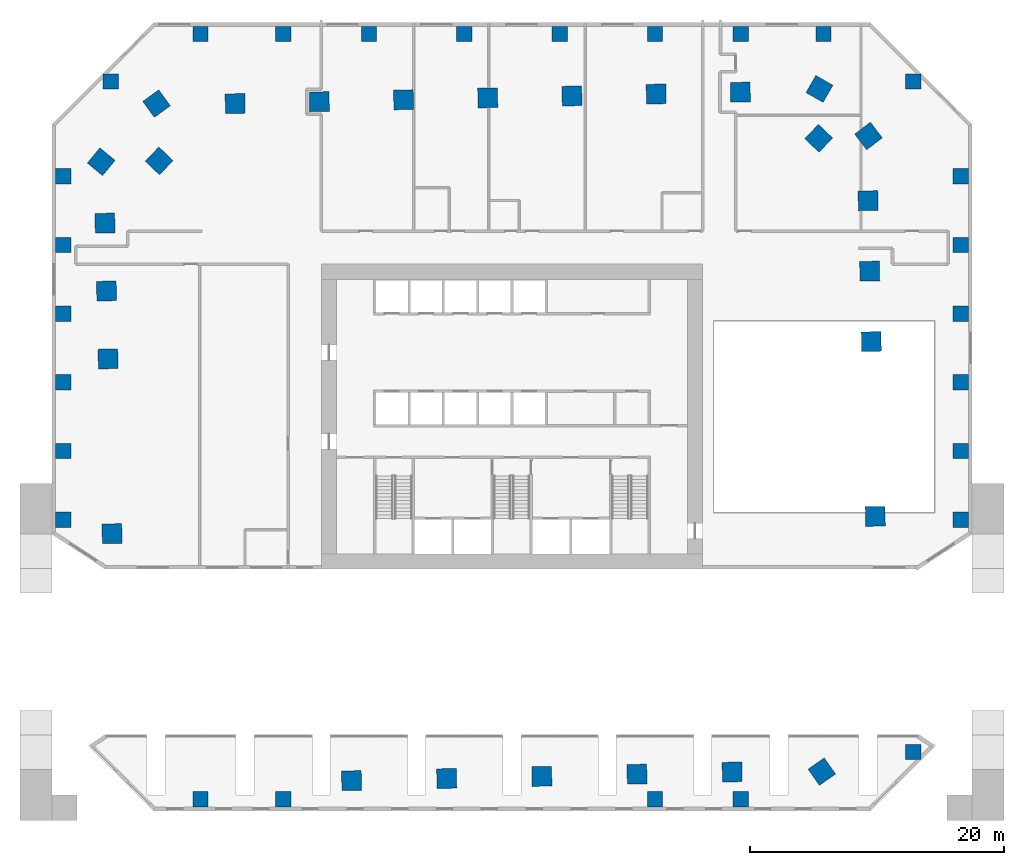
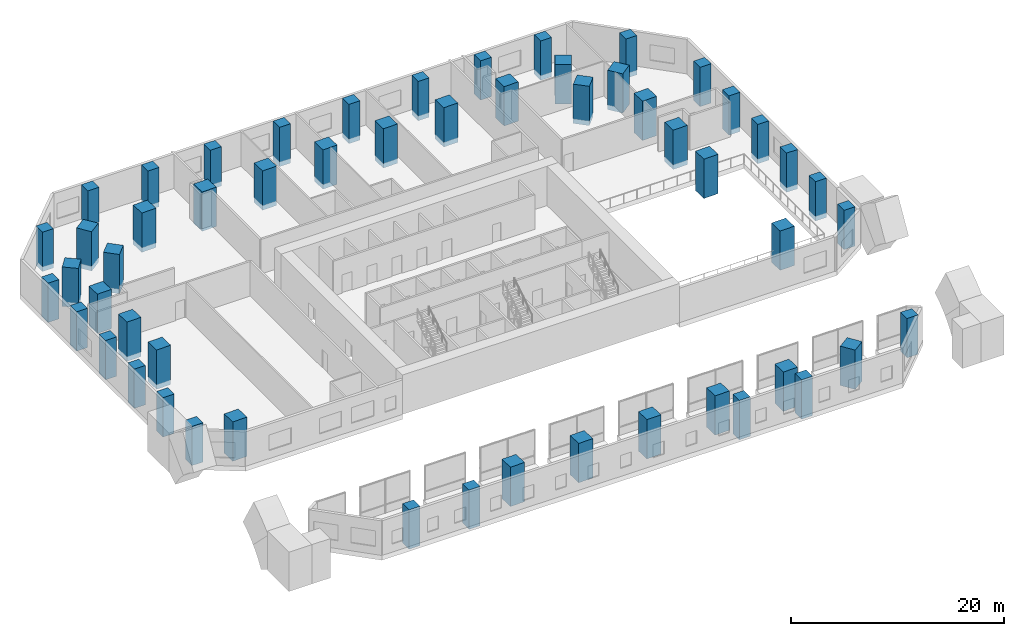
# One storey, part 1 of 12: 54 columns.
"""IFC4 building model written with IfcOpenShell, lengths in metres."""

from ifc_helpers import new_model, si_unit, direction, frame, origin, origin_2d, place, context, subcontext, project, spatial, rectangle, extrude, material, material_profile, profile_set, type_object, element, save


model = new_model("IFC4")

# Units and contexts
model_context = context("Model", 3, precision=1e-05, world=origin(), true_north=direction((0.0, 1.0)))
body_context = subcontext(model_context, "Body", "Model", "MODEL_VIEW")
ifc_project = project(units=[si_unit("LENGTHUNIT", "METRE"), si_unit("AREAUNIT", "SQUARE_METRE"), si_unit("VOLUMEUNIT", "CUBIC_METRE"), si_unit("PLANEANGLEUNIT", "RADIAN"), si_unit("MASSUNIT", "GRAM", prefix="KILO")], contexts=[model_context])

# Site, building, storey
site_placement = place(None, origin())
site = spatial("IfcSite", under=ifc_project, at=site_placement, CompositionType="ELEMENT")
building_placement = place(site_placement, origin())
building = spatial("IfcBuilding", under=site, at=building_placement, Name="Mangrove Gate Tower", CompositionType="ELEMENT")
storey_placement = place(building_placement, frame((0.0, 0.0, 16.0)))
storey = spatial("IfcBuildingStorey", under=building, at=storey_placement, Name="L03", CompositionType="ELEMENT", Elevation=16.0)

# Columns
ifc_material_1 = material(Name="Concrete C50/60", Category="concrete")
ifc_material_profile_1 = material_profile(ifc_material_1, rectangle(XDim=1.199951171875, YDim=1.199951171875, at=origin_2d()))
ifc_profile_set_1 = profile_set([ifc_material_profile_1], Name="Concrete C50/60")
column_type_1 = type_object("IfcColumnType", Name="Column RC 1200x1200 C50/60", PredefinedType="COLUMN", material=ifc_profile_set_1)
for number, where, z_axis, x_axis, name in (
    (1, (-24.5, -30.10009765625, -0.550048828125), (0.0, 0.0, 1.0), (1.0, 0.0, 0.0), "Column L03 PS00"),
    (2, (-24.5, 30.10009765625, -0.550048828125), (0.0, 0.0, 1.0), (1.0, 0.0, 0.0), "Column L03 PN01"),
    (3, (-18.0, -30.10009765625, -0.550048828125), (0.0, 0.0, 1.0), (1.0, 0.0, 0.0), "Column L03 PS02"),
    (4, (-18.0, 30.10009765625, -0.550048828125), (0.0, 0.0, 1.0), (1.0, 0.0, 0.0), "Column L03 PN03"),
    (5, (-11.25, 30.10009765625, -0.550048828125), (0.0, 0.0, 1.0), (1.0, 0.0, 0.0), "Column L03 PN05"),
    (6, (-3.75, 30.10009765625, -0.550048828125), (0.0, 0.0, 1.0), (1.0, 0.0, 0.0), "Column L03 PN07"),
    (7, (3.75, 30.10009765625, -0.550048828125), (0.0, 0.0, 1.0), (1.0, 0.0, 0.0), "Column L03 PN09"),
    (8, (11.25, -30.10009765625, -0.550048828125), (0.0, 0.0, 1.0), (1.0, 0.0, 0.0), "Column L03 PS10"),
    (9, (11.25, 30.10009765625, -0.550048828125), (0.0, 0.0, 1.0), (1.0, 0.0, 0.0), "Column L03 PN11"),
    (10, (18.0, -30.10009765625, -0.550048828125), (0.0, 0.0, 1.0), (1.0, 0.0, 0.0), "Column L03 PS12"),
    (11, (18.0, 30.10009765625, -0.550048828125), (0.0, 0.0, 1.0), (1.0, 0.0, 0.0), "Column L03 PN13"),
    (12, (24.5, 30.10009765625, -0.550048828125), (0.0, 0.0, 1.0), (1.0, 0.0, 0.0), "Column L03 PN15"),
    (13, (35.300048828125, -8.10009765625, -0.550048828125), (0.0, 0.0, 1.0), (1.0, 0.0, 0.0), "Column L03 PE20"),
    (14, (-35.300048828125, -8.10009765625, -0.550048828125), (0.0, 0.0, 1.0), (1.0, 0.0, 0.0), "Column L03 PW21"),
    (15, (35.300048828125, -2.699951171875, -0.550048828125), (0.0, 0.0, 1.0), (1.0, 0.0, 0.0), "Column L03 PE22"),
    (16, (-35.300048828125, -2.699951171875, -0.550048828125), (0.0, 0.0, 1.0), (1.0, 0.0, 0.0), "Column L03 PW23"),
    (17, (35.300048828125, 2.699951171875, -0.550048828125), (0.0, 0.0, 1.0), (1.0, 0.0, 0.0), "Column L03 PE24"),
    (18, (-35.300048828125, 2.699951171875, -0.550048828125), (0.0, 0.0, 1.0), (1.0, 0.0, 0.0), "Column L03 PW25"),
    (19, (35.300048828125, 8.10009765625, -0.550048828125), (0.0, 0.0, 1.0), (1.0, 0.0, 0.0), "Column L03 PE26"),
    (20, (-35.300048828125, 8.10009765625, -0.550048828125), (0.0, 0.0, 1.0), (1.0, 0.0, 0.0), "Column L03 PW27"),
    (21, (35.300048828125, 13.5, -0.550048828125), (0.0, 0.0, 1.0), (1.0, 0.0, 0.0), "Column L03 PE28"),
    (22, (-35.300048828125, 13.5, -0.550048828125), (0.0, 0.0, 1.0), (1.0, 0.0, 0.0), "Column L03 PW29"),
    (23, (35.300048828125, 18.89990234375, -0.550048828125), (0.0, 0.0, 1.0), (1.0, 0.0, 0.0), "Column L03 PE30"),
    (24, (-35.300048828125, 18.89990234375, -0.550048828125), (0.0, 0.0, 1.0), (1.0, 0.0, 0.0), "Column L03 PW31"),
    (25, (31.570068359375, 26.3701171875, -0.550048828125), (0.0, 0.0, 1.0), (1.0, 0.0, 0.0), "Column L03 PD32"),
    (26, (31.570068359375, -26.3701171875, -0.550048828125), (0.0, 0.0, 1.0), (1.0, 0.0, 0.0), "Column L03 PD33"),
    (27, (-31.570068359375, 26.3701171875, -0.550048828125), (0.0, 0.0, 1.0), (1.0, 0.0, 0.0), "Column L03 PD34"),
):
    element("IfcColumn", number, at=place(storey_placement, frame(where, z_axis=z_axis, x_axis=x_axis)), inside=storey, type_object=column_type_1, Name=name, PredefinedType="COLUMN", context=body_context, shape_type="SweptSolid", body=[
        extrude(rectangle(XDim=1.199951171875, YDim=1.199951171875, at=origin_2d()), origin(), (0.0, 0.0, 1.0), 4.5),
    ])
ifc_material_2 = material(Name="Concrete C70/85", Category="concrete")
ifc_material_profile_2 = material_profile(ifc_material_2, rectangle(XDim=1.550048828125, YDim=1.550048828125, at=origin_2d()))
ifc_profile_set_2 = profile_set([ifc_material_profile_2], Name="Concrete C70/85")
column_type_2 = type_object("IfcColumnType", Name="Column RC 1550x1550 C70/85", PredefinedType="COLUMN", material=ifc_profile_set_2)
for number, where, z_axis, x_axis, name in (
    (28, (-31.461181640625, -9.204345703125, -0.550048828125), (0.0, 0.0, 1.0), (0.022677684385, -0.999742828247, 0.0), "Column L03 W06"),
    (29, (-12.61962890625, -28.632080078125, -0.550048828125), (0.0, 0.0, 1.0), (0.999742076866, 0.022710784754, 0.0), "Column L03 S03"),
    (30, (-5.135498046875, -28.462158203125, -0.550048828125), (0.0, 0.0, 1.0), (0.999742111349, 0.022709266709, 0.0), "Column L03 S04"),
    (31, (2.348388671875, -28.292236328125, -0.550048828125), (0.0, 0.0, 1.0), (0.999742111349, 0.022709266709, 0.0), "Column L03 S05"),
    (32, (9.83251953125, -28.122314453125, -0.550048828125), (0.0, 0.0, 1.0), (0.999742076866, 0.022710784754, 0.0), "Column L03 S06"),
    (33, (17.3154296875, -27.9521484375, -0.550048828125), (0.0, 0.0, 1.0), (0.999743591179, 0.022644025629, 0.0), "Column L03 S07"),
    (34, (24.3720703125, -27.92333984375, -0.550048828125), (0.0, 0.0, 1.0), (0.818798537757, 0.574080965166, 0.0), "Column L03 S08"),
    (35, (28.5732421875, -7.842529296875, -0.550048828125), (0.0, 0.0, 1.0), (-0.022680668131, 0.999742760561, 0.0), "Column L03 E05"),
    (36, (28.26123046875, 5.904296875, -0.550048828125), (0.0, 0.0, 1.0), (-0.022703735442, 0.999742236978, 0.0), "Column L03 E06"),
    (37, (28.13525390625, 11.4443359375, -0.550048828125), (0.0, 0.0, 1.0), (-0.022645578574, 0.999743556004, 0.0), "Column L03 E07"),
    (38, (28.01025390625, 16.9853515625, -0.550048828125), (0.0, 0.0, 1.0), (-0.022645578574, 0.999743556004, 0.0), "Column L03 E08"),
    (39, (28.041015625, 22.0751953125, -0.550048828125), (0.0, 0.0, 1.0), (-0.60357593887, 0.797305516109, 0.0), "Column L03 E09"),
    (40, (24.12451171875, 21.8916015625, -0.550048828125), (0.0, 0.0, 1.0), (-0.723010312757, 0.690837236726, 0.0), "Column L03 E10"),
    (41, (24.18359375, 25.778564453125, -0.550048828125), (0.0, 0.0, 1.0), (-0.867550504106, 0.497349095531, 0.0), "Column L03 N01"),
    (42, (17.963623046875, 25.526123046875, -0.550048828125), (0.0, 0.0, 1.0), (-0.999741913532, -0.022717973655, 0.0), "Column L03 N02"),
    (43, (11.340576171875, 25.375244140625, -0.550048828125), (0.0, 0.0, 1.0), (-0.999741952388, -0.022716263674, 0.0), "Column L03 N03"),
    (44, (4.716552734375, 25.22509765625, -0.550048828125), (0.0, 0.0, 1.0), (-0.999743663498, -0.022640832496, 0.0), "Column L03 N04"),
    (45, (-1.906494140625, 25.0751953125, -0.550048828125), (0.0, 0.0, 1.0), (-0.999741913532, -0.022717973655, 0.0), "Column L03 N05"),
    (46, (-8.529296875, 24.92431640625, -0.550048828125), (0.0, 0.0, 1.0), (-0.999741952388, -0.022716263674, 0.0), "Column L03 N06"),
    (47, (-15.153564453125, 24.774169921875, -0.550048828125), (0.0, 0.0, 1.0), (-0.999743663498, -0.022640832496, 0.0), "Column L03 N07"),
    (48, (-21.7763671875, 24.624267578125, -0.550048828125), (0.0, 0.0, 1.0), (-0.999743624771, -0.02264254248, 0.0), "Column L03 N08"),
    (49, (-27.960693359375, 24.62255859375, -0.550048828125), (0.0, 0.0, 1.0), (-0.808269368168, -0.588812897686, 0.0), "Column L03 N09"),
    (50, (-27.752685546875, 20.114501953125, -0.550048828125), (0.0, 0.0, 1.0), (-0.690863130287, -0.722985570541, 0.0), "Column L03 W01"),
    (51, (-32.3134765625, 20.052734375, -0.550048828125), (0.0, 0.0, 1.0), (-0.63510539695, -0.772425488164, 0.0), "Column L03 W02"),
    (52, (-32.01513671875, 15.22265625, -0.550048828125), (0.0, 0.0, 1.0), (0.022746921185, -0.999741255314, 0.0), "Column L03 W03"),
    (53, (-31.894287109375, 9.882568359375, -0.550048828125), (0.0, 0.0, 1.0), (0.022653360746, -0.999743379696, 0.0), "Column L03 W04"),
    (54, (-31.773193359375, 4.54248046875, -0.550048828125), (0.0, 0.0, 1.0), (0.022679760793, -0.999742781144, 0.0), "Column L03 W05"),
):
    element("IfcColumn", number, at=place(storey_placement, frame(where, z_axis=z_axis, x_axis=x_axis)), inside=storey, type_object=column_type_2, Name=name, PredefinedType="COLUMN", context=body_context, shape_type="SweptSolid", body=[
        extrude(rectangle(XDim=1.550048828125, YDim=1.550048828125, at=origin_2d()), origin(), (0.0, 0.0, 1.0), 4.5),
    ])

save(model, "model.ifc")
